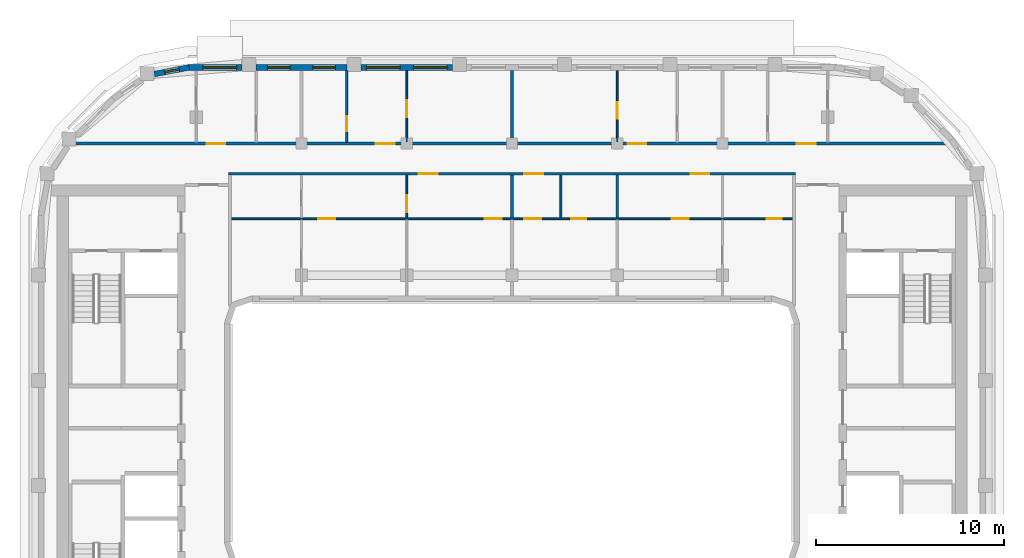
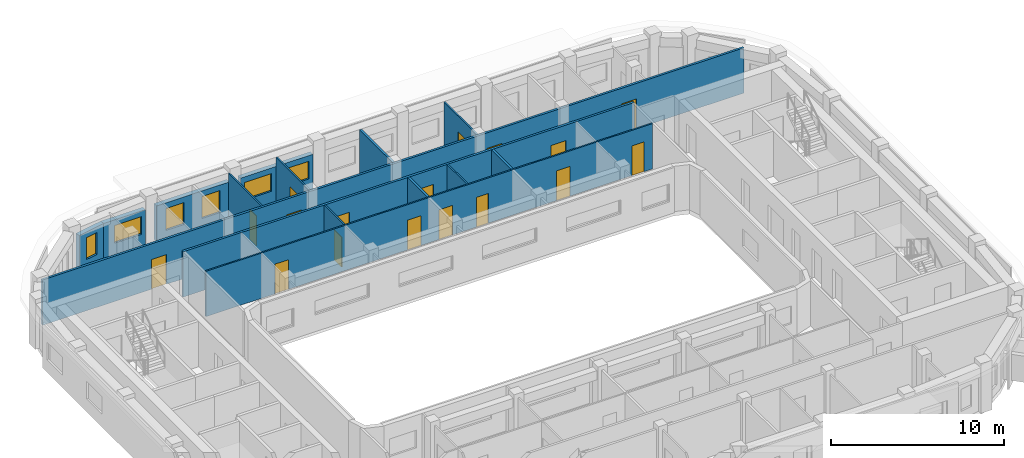
# One storey, part 7 of 16: 17 doors, 15 walls, 6 windows, 23 openings.
"""IFC4 building model written with IfcOpenShell, lengths in metres."""

from ifc_helpers import new_model, si_unit, direction, frame, frame_2d, origin, place, context, subcontext, project, spatial, rectangle, extrude, material, layer, layer_set, type_object, element, fill, save


model = new_model("IFC4")

# Units and contexts
model_context = context("Model", 3, precision=1e-05, world=origin(), true_north=direction((0.0, 1.0)))
body_context = subcontext(model_context, "Body", "Model", "MODEL_VIEW")
ifc_project = project(units=[si_unit("LENGTHUNIT", "METRE"), si_unit("AREAUNIT", "SQUARE_METRE"), si_unit("VOLUMEUNIT", "CUBIC_METRE"), si_unit("PLANEANGLEUNIT", "RADIAN"), si_unit("MASSUNIT", "GRAM", prefix="KILO")], contexts=[model_context])

# Site, building, storey
site_placement = place(None, origin())
site = spatial("IfcSite", under=ifc_project, at=site_placement, CompositionType="ELEMENT")
building_placement = place(site_placement, origin())
building = spatial("IfcBuilding", under=site, at=building_placement, Name="Kiln Ring Residences", CompositionType="ELEMENT")
storey_placement = place(building_placement, frame((0.0, 0.0, 269.699951171875)))
storey = spatial("IfcBuildingStorey", under=building, at=storey_placement, Name="L70", CompositionType="ELEMENT", Elevation=269.699951171875)

# Wall, openings, windows
ifc_material_1 = material(Name="Brick masonry, dark clay brick", Category="masonry")
ifc_layer_1 = layer(ifc_material_1, 0.300048828125)
ifc_layer_set_1 = layer_set([ifc_layer_1], Name="EW-300 BRICK WALL")
wall_type_1 = type_object("IfcWallType", Name="EW-300 BRICK WALL", PredefinedType="SOLIDWALL", material=ifc_layer_set_1)
wall_1_placement = place(storey_placement, frame((-3.175048828125, 19.449951171875, 0.0), z_axis=(0.0, 0.0, 1.0), x_axis=(-1.0, 0.0, 0.0)))
wall_1 = element("IfcWall", 1, at=wall_1_placement, inside=storey, type_object=wall_type_1, Name="Facade wall L70 30", PredefinedType="SOLIDWALL", context=body_context, shape_type="SweptSolid", body=[
    extrude(rectangle(XDim=4.849853515625, YDim=0.300048828125, at=frame_2d((2.4248046875, 0.0))), origin(), (0.0, 0.0, 1.0), 2.550048828125),
])
opening_1_placement = place(wall_1_placement, frame((0.27490234375, 0.0, 0.89990234375)))
opening_1 = element("IfcOpeningElement", 2, at=opening_1_placement, cuts=wall_1, Name="Opening W2", PredefinedType="OPENING", context=body_context, shape_type="SweptSolid", body=[
    extrude(rectangle(XDim=1.800048828125, YDim=1.25, at=frame_2d((0.89990234375, 0.625))), frame((0.0, 0.159912109375, 0.0), z_axis=(0.0, -1.0, 0.0), x_axis=(1.0, 0.0, 0.0)), (0.0, 0.0, 1.0), 0.320068359375),
])
opening_2_placement = place(wall_1_placement, frame((2.77490234375, 0.0, 0.89990234375)))
opening_2 = element("IfcOpeningElement", 3, at=opening_2_placement, cuts=wall_1, Name="Opening W2", PredefinedType="OPENING", context=body_context, shape_type="SweptSolid", body=[
    extrude(rectangle(XDim=1.800048828125, YDim=1.25, at=frame_2d((0.89990234375, 0.625))), frame((0.0, 0.159912109375, 0.0), z_axis=(0.0, -1.0, 0.0), x_axis=(1.0, 0.0, 0.0)), (0.0, 0.0, 1.0), 0.320068359375),
])
ifc_material_2 = material(Name="Aluminium frame with double glazing", Category="aluminium")
window_type_1 = type_object("IfcWindowType", Name="WINDOW 1800 x 1250", PartitioningType="SINGLE_PANEL", PredefinedType="WINDOW", material=ifc_material_2)
window_1_placement = place(opening_1_placement, origin())
window_1 = element("IfcWindow", 4, at=window_1_placement, inside=storey, type_object=window_type_1, Name="Window L70 28", OverallHeight=1.25, OverallWidth=1.800048828125, PartitioningType="SINGLE_PANEL", PredefinedType="WINDOW", context=body_context, shape_type="SweptSolid", body=[
    extrude(rectangle(XDim=1.800048828125, YDim=1.25, at=frame_2d((0.89990234375, 0.625))), frame((0.0, 0.030029296875, 0.0), z_axis=(0.0, -1.0, 0.0), x_axis=(1.0, 0.0, 0.0)), (0.0, 0.0, 1.0), 0.06005859375),
])
fill(opening_1, window_1)
window_2_placement = place(opening_2_placement, origin())
window_2 = element("IfcWindow", 5, at=window_2_placement, inside=storey, type_object=window_type_1, Name="Window L70 29", OverallHeight=1.25, OverallWidth=1.800048828125, PartitioningType="SINGLE_PANEL", PredefinedType="WINDOW", context=body_context, shape_type="SweptSolid", body=[
    extrude(rectangle(XDim=1.800048828125, YDim=1.25, at=frame_2d((0.89990234375, 0.625))), frame((0.0, 0.030029296875, 0.0), z_axis=(0.0, -1.0, 0.0), x_axis=(1.0, 0.0, 0.0)), (0.0, 0.0, 1.0), 0.06005859375),
])
fill(opening_2, window_2)

wall_2_placement = place(storey_placement, frame((-8.77490234375, 19.449951171875, 0.0), z_axis=(0.0, 0.0, 1.0), x_axis=(-1.0, 0.0, 0.0)))
wall_2 = element("IfcWall", 6, at=wall_2_placement, inside=storey, type_object=wall_type_1, Name="Facade wall L70 31", PredefinedType="SOLIDWALL", context=body_context, shape_type="SweptSolid", body=[
    extrude(rectangle(XDim=4.85009765625, YDim=0.300048828125, at=frame_2d((2.425048828125, 0.0))), origin(), (0.0, 0.0, 1.0), 2.550048828125),
])
opening_3_placement = place(wall_2_placement, frame((0.625, 0.0, 0.60009765625)))
opening_3 = element("IfcOpeningElement", 7, at=opening_3_placement, cuts=wall_2, Name="Opening W1", PredefinedType="OPENING", context=body_context, shape_type="SweptSolid", body=[
    extrude(rectangle(XDim=1.199951171875, YDim=1.550048828125, at=frame_2d((0.60009765625, 0.77490234375))), frame((0.0, 0.159912109375, 0.0), z_axis=(0.0, -1.0, 0.0), x_axis=(1.0, 0.0, 0.0)), (0.0, 0.0, 1.0), 0.320068359375),
])
opening_4_placement = place(wall_2_placement, frame((3.02490234375, 0.0, 0.60009765625)))
opening_4 = element("IfcOpeningElement", 8, at=opening_4_placement, cuts=wall_2, Name="Opening W1", PredefinedType="OPENING", context=body_context, shape_type="SweptSolid", body=[
    extrude(rectangle(XDim=1.199951171875, YDim=1.550048828125, at=frame_2d((0.60009765625, 0.77490234375))), frame((0.0, 0.159912109375, 0.0), z_axis=(0.0, -1.0, 0.0), x_axis=(1.0, 0.0, 0.0)), (0.0, 0.0, 1.0), 0.320068359375),
])
ifc_material_3 = material(Name="Aluminium frame with double glazing", Category="aluminium")
window_type_2 = type_object("IfcWindowType", Name="WINDOW 1200 x 1550", PartitioningType="SINGLE_PANEL", PredefinedType="WINDOW", material=ifc_material_3)
window_3_placement = place(opening_3_placement, origin())
window_3 = element("IfcWindow", 9, at=window_3_placement, inside=storey, type_object=window_type_2, Name="Window L70 30", OverallHeight=1.550048828125, OverallWidth=1.199951171875, PartitioningType="SINGLE_PANEL", PredefinedType="WINDOW", context=body_context, shape_type="SweptSolid", body=[
    extrude(rectangle(XDim=1.199951171875, YDim=1.550048828125, at=frame_2d((0.60009765625, 0.77490234375))), frame((0.0, 0.030029296875, 0.0), z_axis=(0.0, -1.0, 0.0), x_axis=(1.0, 0.0, 0.0)), (0.0, 0.0, 1.0), 0.06005859375),
])
fill(opening_3, window_3)
window_4_placement = place(opening_4_placement, origin())
window_4 = element("IfcWindow", 10, at=window_4_placement, inside=storey, type_object=window_type_2, Name="Window L70 31", OverallHeight=1.550048828125, OverallWidth=1.199951171875, PartitioningType="SINGLE_PANEL", PredefinedType="WINDOW", context=body_context, shape_type="SweptSolid", body=[
    extrude(rectangle(XDim=1.199951171875, YDim=1.550048828125, at=frame_2d((0.60009765625, 0.77490234375))), frame((0.0, 0.030029296875, 0.0), z_axis=(0.0, -1.0, 0.0), x_axis=(1.0, 0.0, 0.0)), (0.0, 0.0, 1.0), 0.06005859375),
])
fill(opening_4, window_4)

# Wall, opening, window
wall_3_placement = place(storey_placement, frame((-14.375, 19.449951171875, 0.0), z_axis=(0.0, 0.0, 1.0), x_axis=(-1.0, 0.0, 0.0)))
wall_3 = element("IfcWall", 11, at=wall_3_placement, inside=storey, type_object=wall_type_1, Name="Facade wall L70 32", PredefinedType="SOLIDWALL", context=body_context, shape_type="SweptSolid", body=[
    extrude(rectangle(XDim=2.824951171875, YDim=0.300048828125, at=frame_2d((1.41259765625, 0.0))), origin(), (0.0, 0.0, 1.0), 2.550048828125),
])
opening_5_placement = place(wall_3_placement, frame((0.27490234375, 0.0, 0.89990234375)))
opening_5 = element("IfcOpeningElement", 12, at=opening_5_placement, cuts=wall_3, Name="Opening W2", PredefinedType="OPENING", context=body_context, shape_type="SweptSolid", body=[
    extrude(rectangle(XDim=1.800048828125, YDim=1.25, at=frame_2d((0.89990234375, 0.625))), frame((0.0, 0.159912109375, 0.0), z_axis=(0.0, -1.0, 0.0), x_axis=(1.0, 0.0, 0.0)), (0.0, 0.0, 1.0), 0.320068359375),
])
window_5_placement = place(opening_5_placement, origin())
window_5 = element("IfcWindow", 13, at=window_5_placement, inside=storey, type_object=window_type_1, Name="Window L70 32", OverallHeight=1.25, OverallWidth=1.800048828125, PartitioningType="SINGLE_PANEL", PredefinedType="WINDOW", context=body_context, shape_type="SweptSolid", body=[
    extrude(rectangle(XDim=1.800048828125, YDim=1.25, at=frame_2d((0.89990234375, 0.625))), frame((0.0, 0.030029296875, 0.0), z_axis=(0.0, -1.0, 0.0), x_axis=(1.0, 0.0, 0.0)), (0.0, 0.0, 1.0), 0.06005859375),
])
fill(opening_5, window_5)

wall_4_placement = place(storey_placement, frame((-17.171875, 19.45263671875, 0.0), z_axis=(0.0, 0.0, 1.0), x_axis=(-0.982284001233, -0.187398348234, 0.0)))
wall_4 = element("IfcWall", 14, at=wall_4_placement, inside=storey, type_object=wall_type_1, Name="Facade wall L70 33", PredefinedType="SOLIDWALL", context=body_context, shape_type="SweptSolid", body=[
    extrude(rectangle(XDim=1.88134765625, YDim=0.300048828125, at=frame_2d((0.940673828125, 0.0))), origin(), (0.0, 0.0, 1.0), 2.550048828125),
])
opening_6_placement = place(wall_4_placement, frame((0.54052734375, 0.0, 0.60009765625)))
opening_6 = element("IfcOpeningElement", 15, at=opening_6_placement, cuts=wall_4, Name="Opening W5", PredefinedType="OPENING", context=body_context, shape_type="SweptSolid", body=[
    extrude(rectangle(XDim=0.800048828125, YDim=1.550048828125, at=frame_2d((0.39990234375, 0.77490234375))), frame((0.0, 0.159912109375, 0.0), z_axis=(0.0, -1.0, 0.0), x_axis=(1.0, 0.0, 0.0)), (0.0, 0.0, 1.0), 0.320068359375),
])
ifc_material_4 = material(Name="Aluminium frame with double glazing", Category="aluminium")
window_type_3 = type_object("IfcWindowType", Name="WINDOW 800 x 1550", PartitioningType="SINGLE_PANEL", PredefinedType="WINDOW", material=ifc_material_4)
window_6_placement = place(opening_6_placement, origin())
window_6 = element("IfcWindow", 16, at=window_6_placement, inside=storey, type_object=window_type_3, Name="Window L70 33", OverallHeight=1.550048828125, OverallWidth=0.800048828125, PartitioningType="SINGLE_PANEL", PredefinedType="WINDOW", context=body_context, shape_type="SweptSolid", body=[
    extrude(rectangle(XDim=0.800048828125, YDim=1.550048828125, at=frame_2d((0.39990234375, 0.77490234375))), frame((0.0, 0.030029296875, 0.0), z_axis=(0.0, -1.0, 0.0), x_axis=(1.0, 0.0, 0.0)), (0.0, 0.0, 1.0), 0.06005859375),
])
fill(opening_6, window_6)

# Wall, openings, doors
ifc_material_5 = material(Name="Gypsum board on steel studs", Category="steel")
ifc_layer_2 = layer(ifc_material_5, 0.10009765625)
ifc_layer_set_2 = layer_set([ifc_layer_2], Name="PARTITION-100")
wall_type_2 = type_object("IfcWallType", Name="PARTITION-100", PredefinedType="PARTITIONING", material=ifc_layer_set_2)
wall_5_placement = place(storey_placement, frame((-14.925048828125, 11.39990234375, 0.0), z_axis=(0.0, 0.0, 1.0), x_axis=(1.0, 0.0, 0.0)))
wall_5 = element("IfcWall", 17, at=wall_5_placement, inside=storey, type_object=wall_type_2, Name="Partition 005", PredefinedType="PARTITIONING", context=body_context, shape_type="SweptSolid", body=[
    extrude(rectangle(XDim=29.85009765625, YDim=0.10009765625, at=frame_2d((14.925048828125, 0.0))), origin(), (0.0, 0.0, 1.0), 3.199951171875),
])
opening_7_placement = place(wall_5_placement, frame((13.47509765625, 0.0, 0.0)))
opening_7 = element("IfcOpeningElement", 18, at=opening_7_placement, cuts=wall_5, Name="Opening L70-D008", PredefinedType="OPENING", context=body_context, shape_type="SweptSolid", body=[
    extrude(rectangle(XDim=0.89990234375, YDim=2.10009765625, at=frame_2d((0.449951171875, 1.050048828125))), frame((0.0, 0.06005859375, 0.0), z_axis=(0.0, -1.0, 0.0), x_axis=(1.0, 0.0, 0.0)), (0.0, 0.0, 1.0), 0.1201171875),
])
opening_8_placement = place(wall_5_placement, frame((4.625, 0.0, 0.0)))
opening_8 = element("IfcOpeningElement", 19, at=opening_8_placement, cuts=wall_5, Name="Opening L70-D009", PredefinedType="OPENING", context=body_context, shape_type="SweptSolid", body=[
    extrude(rectangle(XDim=0.89990234375, YDim=2.10009765625, at=frame_2d((0.449951171875, 1.050048828125))), frame((0.0, 0.06005859375, 0.0), z_axis=(0.0, -1.0, 0.0), x_axis=(1.0, 0.0, 0.0)), (0.0, 0.0, 1.0), 0.1201171875),
])
opening_9_placement = place(wall_5_placement, frame((18.074951171875, 0.0, 0.0)))
opening_9 = element("IfcOpeningElement", 20, at=opening_9_placement, cuts=wall_5, Name="Opening L70-D012", PredefinedType="OPENING", context=body_context, shape_type="SweptSolid", body=[
    extrude(rectangle(XDim=0.800048828125, YDim=2.10009765625, at=frame_2d((0.39990234375, 1.050048828125))), frame((0.0, 0.06005859375, 0.0), z_axis=(0.0, -1.0, 0.0), x_axis=(1.0, 0.0, 0.0)), (0.0, 0.0, 1.0), 0.1201171875),
])
opening_10_placement = place(wall_5_placement, frame((15.574951171875, 0.0, 0.0)))
opening_10 = element("IfcOpeningElement", 21, at=opening_10_placement, cuts=wall_5, Name="Opening L70-D013", PredefinedType="OPENING", context=body_context, shape_type="SweptSolid", body=[
    extrude(rectangle(XDim=0.89990234375, YDim=2.10009765625, at=frame_2d((0.449951171875, 1.050048828125))), frame((0.0, 0.06005859375, 0.0), z_axis=(0.0, -1.0, 0.0), x_axis=(1.0, 0.0, 0.0)), (0.0, 0.0, 1.0), 0.1201171875),
])
opening_11_placement = place(wall_5_placement, frame((28.47412109375, 0.0, 0.0)))
opening_11 = element("IfcOpeningElement", 22, at=opening_11_placement, cuts=wall_5, Name="Opening L70-D015", PredefinedType="OPENING", context=body_context, shape_type="SweptSolid", body=[
    extrude(rectangle(XDim=0.800048828125, YDim=2.10009765625, at=frame_2d((0.39990234375, 1.050048828125))), frame((0.0, 0.06005859375, 0.0), z_axis=(0.0, -1.0, 0.0), x_axis=(1.0, 0.0, 0.0)), (0.0, 0.0, 1.0), 0.1201171875),
])
opening_12_placement = place(wall_5_placement, frame((23.425048828125, 0.0, 0.0)))
opening_12 = element("IfcOpeningElement", 23, at=opening_12_placement, cuts=wall_5, Name="Opening L70-D016", PredefinedType="OPENING", context=body_context, shape_type="SweptSolid", body=[
    extrude(rectangle(XDim=0.89990234375, YDim=2.10009765625, at=frame_2d((0.449951171875, 1.050048828125))), frame((0.0, 0.06005859375, 0.0), z_axis=(0.0, -1.0, 0.0), x_axis=(1.0, 0.0, 0.0)), (0.0, 0.0, 1.0), 0.1201171875),
])
ifc_material_6 = material(Name="Timber door leaf", Category="wood")
door_type_1 = type_object("IfcDoorType", Name="FLAT-DOOR-800-PL", OperationType="SINGLE_SWING_LEFT", PredefinedType="DOOR", material=ifc_material_6)
door_1_placement = place(opening_9_placement, origin())
door_1 = element("IfcDoor", 24, at=door_1_placement, inside=storey, type_object=door_type_1, Name="Door L70-D012", OperationType="SINGLE_SWING_RIGHT", OverallHeight=2.10009765625, OverallWidth=0.800048828125, PredefinedType="DOOR", context=body_context, shape_type="SweptSolid", body=[
    extrude(rectangle(XDim=0.800048828125, YDim=2.10009765625, at=frame_2d((0.39990234375, 1.050048828125))), frame((0.0, 0.02490234375, 0.0), z_axis=(0.0, -1.0, 0.0), x_axis=(1.0, 0.0, 0.0)), (0.0, 0.0, 1.0), 0.050048828125),
])
fill(opening_9, door_1)
door_2_placement = place(opening_11_placement, origin())
door_2 = element("IfcDoor", 25, at=door_2_placement, inside=storey, type_object=door_type_1, Name="Door L70-D015", OperationType="SINGLE_SWING_LEFT", OverallHeight=2.10009765625, OverallWidth=0.800048828125, PredefinedType="DOOR", context=body_context, shape_type="SweptSolid", body=[
    extrude(rectangle(XDim=0.800048828125, YDim=2.10009765625, at=frame_2d((0.39990234375, 1.050048828125))), frame((0.0, 0.02490234375, 0.0), z_axis=(0.0, -1.0, 0.0), x_axis=(1.0, 0.0, 0.0)), (0.0, 0.0, 1.0), 0.050048828125),
])
fill(opening_11, door_2)
ifc_material_7 = material(Name="Timber door leaf", Category="wood")
door_type_2 = type_object("IfcDoorType", Name="FLAT-DOOR-900-PL", OperationType="SINGLE_SWING_LEFT", PredefinedType="DOOR", material=ifc_material_7)
door_3_placement = place(opening_7_placement, origin())
door_3 = element("IfcDoor", 26, at=door_3_placement, inside=storey, type_object=door_type_2, Name="Door L70-D008", OperationType="SINGLE_SWING_RIGHT", OverallHeight=2.10009765625, OverallWidth=0.89990234375, PredefinedType="DOOR", context=body_context, shape_type="SweptSolid", body=[
    extrude(rectangle(XDim=0.89990234375, YDim=2.10009765625, at=frame_2d((0.449951171875, 1.050048828125))), frame((0.0, 0.02490234375, 0.0), z_axis=(0.0, -1.0, 0.0), x_axis=(1.0, 0.0, 0.0)), (0.0, 0.0, 1.0), 0.050048828125),
])
fill(opening_7, door_3)
door_4_placement = place(opening_8_placement, origin())
door_4 = element("IfcDoor", 27, at=door_4_placement, inside=storey, type_object=door_type_2, Name="Door L70-D009", OperationType="SINGLE_SWING_LEFT", OverallHeight=2.10009765625, OverallWidth=0.89990234375, PredefinedType="DOOR", context=body_context, shape_type="SweptSolid", body=[
    extrude(rectangle(XDim=0.89990234375, YDim=2.10009765625, at=frame_2d((0.449951171875, 1.050048828125))), frame((0.0, 0.02490234375, 0.0), z_axis=(0.0, -1.0, 0.0), x_axis=(1.0, 0.0, 0.0)), (0.0, 0.0, 1.0), 0.050048828125),
])
fill(opening_8, door_4)
door_5_placement = place(opening_10_placement, origin())
door_5 = element("IfcDoor", 28, at=door_5_placement, inside=storey, type_object=door_type_2, Name="Door L70-D013", OperationType="SINGLE_SWING_LEFT", OverallHeight=2.10009765625, OverallWidth=0.89990234375, PredefinedType="DOOR", context=body_context, shape_type="SweptSolid", body=[
    extrude(rectangle(XDim=0.89990234375, YDim=2.10009765625, at=frame_2d((0.449951171875, 1.050048828125))), frame((0.0, 0.02490234375, 0.0), z_axis=(0.0, -1.0, 0.0), x_axis=(1.0, 0.0, 0.0)), (0.0, 0.0, 1.0), 0.050048828125),
])
fill(opening_10, door_5)
door_6_placement = place(opening_12_placement, origin())
door_6 = element("IfcDoor", 29, at=door_6_placement, inside=storey, type_object=door_type_2, Name="Door L70-D016", OperationType="SINGLE_SWING_RIGHT", OverallHeight=2.10009765625, OverallWidth=0.89990234375, PredefinedType="DOOR", context=body_context, shape_type="SweptSolid", body=[
    extrude(rectangle(XDim=0.89990234375, YDim=2.10009765625, at=frame_2d((0.449951171875, 1.050048828125))), frame((0.0, 0.02490234375, 0.0), z_axis=(0.0, -1.0, 0.0), x_axis=(1.0, 0.0, 0.0)), (0.0, 0.0, 1.0), 0.050048828125),
])
fill(opening_12, door_6)

# Wall, opening, door
wall_6_placement = place(storey_placement, frame((-8.800048828125, 15.47509765625, 0.0), z_axis=(0.0, 0.0, 1.0), x_axis=(0.0, 1.0, 0.0)))
wall_6 = element("IfcWall", 30, at=wall_6_placement, inside=storey, type_object=wall_type_2, Name="Partition 023", PredefinedType="PARTITIONING", context=body_context, shape_type="SweptSolid", body=[
    extrude(rectangle(XDim=3.804931640625, YDim=0.10009765625, at=frame_2d((1.90234375, 0.0))), origin(), (0.0, 0.0, 1.0), 3.199951171875),
])
opening_13_placement = place(wall_6_placement, frame((0.5849609375, 0.0, 0.0)))
opening_13 = element("IfcOpeningElement", 31, at=opening_13_placement, cuts=wall_6, Name="Opening L70-D022", PredefinedType="OPENING", context=body_context, shape_type="SweptSolid", body=[
    extrude(rectangle(XDim=0.800048828125, YDim=2.10009765625, at=frame_2d((0.39990234375, 1.050048828125))), frame((0.0, 0.06005859375, 0.0), z_axis=(0.0, -1.0, 0.0), x_axis=(1.0, 0.0, 0.0)), (0.0, 0.0, 1.0), 0.1201171875),
])
door_7_placement = place(opening_13_placement, origin())
door_7 = element("IfcDoor", 32, at=door_7_placement, inside=storey, type_object=door_type_1, Name="Door L70-D022", OperationType="SINGLE_SWING_RIGHT", OverallHeight=2.10009765625, OverallWidth=0.800048828125, PredefinedType="DOOR", context=body_context, shape_type="SweptSolid", body=[
    extrude(rectangle(XDim=0.800048828125, YDim=2.10009765625, at=frame_2d((0.39990234375, 1.050048828125))), frame((0.0, 0.02490234375, 0.0), z_axis=(0.0, -1.0, 0.0), x_axis=(1.0, 0.0, 0.0)), (0.0, 0.0, 1.0), 0.050048828125),
])
fill(opening_13, door_7)

wall_7_placement = place(storey_placement, frame((-5.60009765625, 11.449951171875, 0.0), z_axis=(0.0, 0.0, 1.0), x_axis=(0.0, 1.0, 0.0)))
wall_7 = element("IfcWall", 33, at=wall_7_placement, inside=storey, type_object=wall_type_2, Name="Partition 028", PredefinedType="PARTITIONING", context=body_context, shape_type="SweptSolid", body=[
    extrude(rectangle(XDim=2.275146484375, YDim=0.10009765625, at=frame_2d((1.1376953125, 0.0))), origin(), (0.0, 0.0, 1.0), 3.199951171875),
])
opening_14_placement = place(wall_7_placement, frame((0.299072265625, 0.0, 0.0)))
opening_14 = element("IfcOpeningElement", 34, at=opening_14_placement, cuts=wall_7, Name="Opening L70-D006", PredefinedType="OPENING", context=body_context, shape_type="SweptSolid", body=[
    extrude(rectangle(XDim=0.89990234375, YDim=2.10009765625, at=frame_2d((0.449951171875, 1.050048828125))), frame((0.0, 0.06005859375, 0.0), z_axis=(0.0, -1.0, 0.0), x_axis=(1.0, 0.0, 0.0)), (0.0, 0.0, 1.0), 0.1201171875),
])
door_8_placement = place(opening_14_placement, origin())
door_8 = element("IfcDoor", 35, at=door_8_placement, inside=storey, type_object=door_type_2, Name="Door L70-D006", OperationType="SINGLE_SWING_RIGHT", OverallHeight=2.10009765625, OverallWidth=0.89990234375, PredefinedType="DOOR", context=body_context, shape_type="SweptSolid", body=[
    extrude(rectangle(XDim=0.89990234375, YDim=2.10009765625, at=frame_2d((0.449951171875, 1.050048828125))), frame((0.0, 0.02490234375, 0.0), z_axis=(0.0, -1.0, 0.0), x_axis=(1.0, 0.0, 0.0)), (0.0, 0.0, 1.0), 0.050048828125),
])
fill(opening_14, door_8)

wall_8_placement = place(storey_placement, frame((-5.60009765625, 15.47509765625, 0.0), z_axis=(0.0, 0.0, 1.0), x_axis=(0.0, 1.0, 0.0)))
wall_8 = element("IfcWall", 36, at=wall_8_placement, inside=storey, type_object=wall_type_2, Name="Partition 029", PredefinedType="PARTITIONING", context=body_context, shape_type="SweptSolid", body=[
    extrude(rectangle(XDim=3.804931640625, YDim=0.10009765625, at=frame_2d((1.90234375, 0.0))), origin(), (0.0, 0.0, 1.0), 3.199951171875),
])
opening_15_placement = place(wall_8_placement, frame((1.325927734375, 0.0, 0.0)))
opening_15 = element("IfcOpeningElement", 37, at=opening_15_placement, cuts=wall_8, Name="Opening L70-D023", PredefinedType="OPENING", context=body_context, shape_type="SweptSolid", body=[
    extrude(rectangle(XDim=0.89990234375, YDim=2.10009765625, at=frame_2d((0.449951171875, 1.050048828125))), frame((0.0, 0.06005859375, 0.0), z_axis=(0.0, -1.0, 0.0), x_axis=(1.0, 0.0, 0.0)), (0.0, 0.0, 1.0), 0.1201171875),
])
door_9_placement = place(opening_15_placement, origin())
door_9 = element("IfcDoor", 38, at=door_9_placement, inside=storey, type_object=door_type_2, Name="Door L70-D023", OperationType="SINGLE_SWING_LEFT", OverallHeight=2.10009765625, OverallWidth=0.89990234375, PredefinedType="DOOR", context=body_context, shape_type="SweptSolid", body=[
    extrude(rectangle(XDim=0.89990234375, YDim=2.10009765625, at=frame_2d((0.449951171875, 1.050048828125))), frame((0.0, 0.02490234375, 0.0), z_axis=(0.0, -1.0, 0.0), x_axis=(1.0, 0.0, 0.0)), (0.0, 0.0, 1.0), 0.050048828125),
])
fill(opening_15, door_9)

# Wall
wall_9_placement = place(storey_placement, frame((2.60009765625, 11.449951171875, 0.0), z_axis=(0.0, 0.0, 1.0), x_axis=(0.0, 1.0, 0.0)))
element("IfcWall", 39, at=wall_9_placement, inside=storey, type_object=wall_type_2, Name="Partition 036", PredefinedType="PARTITIONING", context=body_context, shape_type="SweptSolid", body=[
    extrude(rectangle(XDim=2.275146484375, YDim=0.10009765625, at=frame_2d((1.1376953125, 0.0))), origin(), (0.0, 0.0, 1.0), 3.199951171875),
])

# Wall, opening, door
wall_10_placement = place(storey_placement, frame((5.60009765625, 15.47509765625, 0.0), z_axis=(0.0, 0.0, 1.0), x_axis=(0.0, 1.0, 0.0)))
wall_10 = element("IfcWall", 40, at=wall_10_placement, inside=storey, type_object=wall_type_2, Name="Partition 039", PredefinedType="PARTITIONING", context=body_context, shape_type="SweptSolid", body=[
    extrude(rectangle(XDim=3.804931640625, YDim=0.10009765625, at=frame_2d((1.90234375, 0.0))), origin(), (0.0, 0.0, 1.0), 3.199951171875),
])
opening_16_placement = place(wall_10_placement, frame((1.235107421875, 0.0, 0.0)))
opening_16 = element("IfcOpeningElement", 41, at=opening_16_placement, cuts=wall_10, Name="Opening L70-D026", PredefinedType="OPENING", context=body_context, shape_type="SweptSolid", body=[
    extrude(rectangle(XDim=0.89990234375, YDim=2.10009765625, at=frame_2d((0.449951171875, 1.050048828125))), frame((0.0, 0.06005859375, 0.0), z_axis=(0.0, -1.0, 0.0), x_axis=(1.0, 0.0, 0.0)), (0.0, 0.0, 1.0), 0.1201171875),
])
door_10_placement = place(opening_16_placement, origin())
door_10 = element("IfcDoor", 42, at=door_10_placement, inside=storey, type_object=door_type_2, Name="Door L70-D026", OperationType="SINGLE_SWING_RIGHT", OverallHeight=2.10009765625, OverallWidth=0.89990234375, PredefinedType="DOOR", context=body_context, shape_type="SweptSolid", body=[
    extrude(rectangle(XDim=0.89990234375, YDim=2.10009765625, at=frame_2d((0.449951171875, 1.050048828125))), frame((0.0, 0.02490234375, 0.0), z_axis=(0.0, -1.0, 0.0), x_axis=(1.0, 0.0, 0.0)), (0.0, 0.0, 1.0), 0.050048828125),
])
fill(opening_16, door_10)

# Wall, openings, doors
ifc_material_8 = material(Name="Brick masonry partition", Category="masonry")
ifc_layer_3 = layer(ifc_material_8, 0.14990234375)
ifc_layer_set_3 = layer_set([ifc_layer_3], Name="PARTITION-150-ei60")
wall_type_3 = type_object("IfcWallType", Name="PARTITION-150-ei60", PredefinedType="PARTITIONING", material=ifc_layer_set_3)
wall_11_placement = place(storey_placement, frame((-15.074951171875, 13.800048828125, 0.0), z_axis=(0.0, 0.0, 1.0), x_axis=(1.0, 0.0, 0.0)))
wall_11 = element("IfcWall", 43, at=wall_11_placement, inside=storey, type_object=wall_type_3, Name="Partition 008", PredefinedType="PARTITIONING", context=body_context, shape_type="SweptSolid", body=[
    extrude(rectangle(XDim=30.14990234375, YDim=0.14990234375, at=frame_2d((15.074951171875, 0.0))), origin(), (0.0, 0.0, 1.0), 3.199951171875),
])
opening_17_placement = place(wall_11_placement, frame((10.125, 0.0, 0.0)))
opening_17 = element("IfcOpeningElement", 44, at=opening_17_placement, cuts=wall_11, Name="Opening L70-D005", PredefinedType="OPENING", context=body_context, shape_type="SweptSolid", body=[
    extrude(rectangle(XDim=1.0, YDim=2.10009765625, at=frame_2d((0.5, 1.050048828125))), frame((0.0, 0.0849609375, 0.0), z_axis=(0.0, -1.0, 0.0), x_axis=(1.0, 0.0, 0.0)), (0.0, 0.0, 1.0), 0.169921875),
])
opening_18_placement = place(wall_11_placement, frame((15.72509765625, 0.0, 0.0)))
opening_18 = element("IfcOpeningElement", 45, at=opening_18_placement, cuts=wall_11, Name="Opening L70-D011", PredefinedType="OPENING", context=body_context, shape_type="SweptSolid", body=[
    extrude(rectangle(XDim=1.0, YDim=2.10009765625, at=frame_2d((0.5, 1.050048828125))), frame((0.0, 0.0849609375, 0.0), z_axis=(0.0, -1.0, 0.0), x_axis=(1.0, 0.0, 0.0)), (0.0, 0.0, 1.0), 0.169921875),
])
opening_19_placement = place(wall_11_placement, frame((24.574951171875, 0.0, 0.0)))
opening_19 = element("IfcOpeningElement", 46, at=opening_19_placement, cuts=wall_11, Name="Opening L70-D014", PredefinedType="OPENING", context=body_context, shape_type="SweptSolid", body=[
    extrude(rectangle(XDim=1.0, YDim=2.10009765625, at=frame_2d((0.5, 1.050048828125))), frame((0.0, 0.0849609375, 0.0), z_axis=(0.0, -1.0, 0.0), x_axis=(1.0, 0.0, 0.0)), (0.0, 0.0, 1.0), 0.169921875),
])
ifc_material_9 = material(Name="Steel faced fire door leaf", Category="steel")
door_type_3 = type_object("IfcDoorType", Name="FLAT-DOOR-1000-FR", OperationType="SINGLE_SWING_LEFT", PredefinedType="DOOR", material=ifc_material_9)
door_11_placement = place(opening_17_placement, origin())
door_11 = element("IfcDoor", 47, at=door_11_placement, inside=storey, type_object=door_type_3, Name="Door L70-D005", OperationType="SINGLE_SWING_LEFT", OverallHeight=2.10009765625, OverallWidth=1.0, PredefinedType="DOOR", context=body_context, shape_type="SweptSolid", body=[
    extrude(rectangle(XDim=1.0, YDim=2.10009765625, at=frame_2d((0.5, 1.050048828125))), frame((0.0, 0.02490234375, 0.0), z_axis=(0.0, -1.0, 0.0), x_axis=(1.0, 0.0, 0.0)), (0.0, 0.0, 1.0), 0.050048828125),
])
fill(opening_17, door_11)
door_12_placement = place(opening_18_placement, origin())
door_12 = element("IfcDoor", 48, at=door_12_placement, inside=storey, type_object=door_type_3, Name="Door L70-D011", OperationType="SINGLE_SWING_LEFT", OverallHeight=2.10009765625, OverallWidth=1.0, PredefinedType="DOOR", context=body_context, shape_type="SweptSolid", body=[
    extrude(rectangle(XDim=1.0, YDim=2.10009765625, at=frame_2d((0.5, 1.050048828125))), frame((0.0, 0.02490234375, 0.0), z_axis=(0.0, -1.0, 0.0), x_axis=(1.0, 0.0, 0.0)), (0.0, 0.0, 1.0), 0.050048828125),
])
fill(opening_18, door_12)
door_13_placement = place(opening_19_placement, origin())
door_13 = element("IfcDoor", 49, at=door_13_placement, inside=storey, type_object=door_type_3, Name="Door L70-D014", OperationType="SINGLE_SWING_RIGHT", OverallHeight=2.10009765625, OverallWidth=1.0, PredefinedType="DOOR", context=body_context, shape_type="SweptSolid", body=[
    extrude(rectangle(XDim=1.0, YDim=2.10009765625, at=frame_2d((0.5, 1.050048828125))), frame((0.0, 0.02490234375, 0.0), z_axis=(0.0, -1.0, 0.0), x_axis=(1.0, 0.0, 0.0)), (0.0, 0.0, 1.0), 0.050048828125),
])
fill(opening_19, door_13)

wall_12_placement = place(storey_placement, frame((-23.550048828125, 15.39990234375, 0.0), z_axis=(0.0, 0.0, 1.0), x_axis=(1.0, 0.0, 0.0)))
wall_12 = element("IfcWall", 50, at=wall_12_placement, inside=storey, type_object=wall_type_3, Name="Partition 009", PredefinedType="PARTITIONING", context=body_context, shape_type="SweptSolid", body=[
    extrude(rectangle(XDim=46.8720703125, YDim=0.14990234375, at=frame_2d((23.43603515625, 0.0))), origin(), (0.0, 0.0, 1.0), 3.199951171875),
])
opening_20_placement = place(wall_12_placement, frame((7.300048828125, 0.0, 0.0)))
opening_20 = element("IfcOpeningElement", 51, at=opening_20_placement, cuts=wall_12, Name="Opening L70-D018", PredefinedType="OPENING", context=body_context, shape_type="SweptSolid", body=[
    extrude(rectangle(XDim=1.0, YDim=2.10009765625, at=frame_2d((0.5, 1.050048828125))), frame((0.0, 0.0849609375, 0.0), z_axis=(0.0, -1.0, 0.0), x_axis=(1.0, 0.0, 0.0)), (0.0, 0.0, 1.0), 0.169921875),
])
opening_21_placement = place(wall_12_placement, frame((16.300048828125, 0.0, 0.0)))
opening_21 = element("IfcOpeningElement", 52, at=opening_21_placement, cuts=wall_12, Name="Opening L70-D021", PredefinedType="OPENING", context=body_context, shape_type="SweptSolid", body=[
    extrude(rectangle(XDim=1.0, YDim=2.10009765625, at=frame_2d((0.5, 1.050048828125))), frame((0.0, 0.0849609375, 0.0), z_axis=(0.0, -1.0, 0.0), x_axis=(1.0, 0.0, 0.0)), (0.0, 0.0, 1.0), 0.169921875),
])
opening_22_placement = place(wall_12_placement, frame((29.699951171875, 0.0, 0.0)))
opening_22 = element("IfcOpeningElement", 53, at=opening_22_placement, cuts=wall_12, Name="Opening L70-D024", PredefinedType="OPENING", context=body_context, shape_type="SweptSolid", body=[
    extrude(rectangle(XDim=1.0, YDim=2.10009765625, at=frame_2d((0.5, 1.050048828125))), frame((0.0, 0.0849609375, 0.0), z_axis=(0.0, -1.0, 0.0), x_axis=(1.0, 0.0, 0.0)), (0.0, 0.0, 1.0), 0.169921875),
])
opening_23_placement = place(wall_12_placement, frame((38.699951171875, 0.0, 0.0)))
opening_23 = element("IfcOpeningElement", 54, at=opening_23_placement, cuts=wall_12, Name="Opening L70-D027", PredefinedType="OPENING", context=body_context, shape_type="SweptSolid", body=[
    extrude(rectangle(XDim=1.0, YDim=2.10009765625, at=frame_2d((0.5, 1.050048828125))), frame((0.0, 0.0849609375, 0.0), z_axis=(0.0, -1.0, 0.0), x_axis=(1.0, 0.0, 0.0)), (0.0, 0.0, 1.0), 0.169921875),
])
door_14_placement = place(opening_20_placement, origin())
door_14 = element("IfcDoor", 55, at=door_14_placement, inside=storey, type_object=door_type_3, Name="Door L70-D018", OperationType="SINGLE_SWING_RIGHT", OverallHeight=2.10009765625, OverallWidth=1.0, PredefinedType="DOOR", context=body_context, shape_type="SweptSolid", body=[
    extrude(rectangle(XDim=1.0, YDim=2.10009765625, at=frame_2d((0.5, 1.050048828125))), frame((0.0, 0.02490234375, 0.0), z_axis=(0.0, -1.0, 0.0), x_axis=(1.0, 0.0, 0.0)), (0.0, 0.0, 1.0), 0.050048828125),
])
fill(opening_20, door_14)
door_15_placement = place(opening_21_placement, origin())
door_15 = element("IfcDoor", 56, at=door_15_placement, inside=storey, type_object=door_type_3, Name="Door L70-D021", OperationType="SINGLE_SWING_LEFT", OverallHeight=2.10009765625, OverallWidth=1.0, PredefinedType="DOOR", context=body_context, shape_type="SweptSolid", body=[
    extrude(rectangle(XDim=1.0, YDim=2.10009765625, at=frame_2d((0.5, 1.050048828125))), frame((0.0, 0.02490234375, 0.0), z_axis=(0.0, -1.0, 0.0), x_axis=(1.0, 0.0, 0.0)), (0.0, 0.0, 1.0), 0.050048828125),
])
fill(opening_21, door_15)
door_16_placement = place(opening_22_placement, origin())
door_16 = element("IfcDoor", 57, at=door_16_placement, inside=storey, type_object=door_type_3, Name="Door L70-D024", OperationType="SINGLE_SWING_RIGHT", OverallHeight=2.10009765625, OverallWidth=1.0, PredefinedType="DOOR", context=body_context, shape_type="SweptSolid", body=[
    extrude(rectangle(XDim=1.0, YDim=2.10009765625, at=frame_2d((0.5, 1.050048828125))), frame((0.0, 0.02490234375, 0.0), z_axis=(0.0, -1.0, 0.0), x_axis=(1.0, 0.0, 0.0)), (0.0, 0.0, 1.0), 0.050048828125),
])
fill(opening_22, door_16)
door_17_placement = place(opening_23_placement, origin())
door_17 = element("IfcDoor", 58, at=door_17_placement, inside=storey, type_object=door_type_3, Name="Door L70-D027", OperationType="SINGLE_SWING_LEFT", OverallHeight=2.10009765625, OverallWidth=1.0, PredefinedType="DOOR", context=body_context, shape_type="SweptSolid", body=[
    extrude(rectangle(XDim=1.0, YDim=2.10009765625, at=frame_2d((0.5, 1.050048828125))), frame((0.0, 0.02490234375, 0.0), z_axis=(0.0, -1.0, 0.0), x_axis=(1.0, 0.0, 0.0)), (0.0, 0.0, 1.0), 0.050048828125),
])
fill(opening_23, door_17)

# Walls
wall_13_placement = place(storey_placement, frame((0.0, 11.449951171875, 0.0), z_axis=(0.0, 0.0, 1.0), x_axis=(0.0, 1.0, 0.0)))
element("IfcWall", 59, at=wall_13_placement, inside=storey, type_object=wall_type_3, Name="Partition 034", PredefinedType="PARTITIONING", context=body_context, shape_type="SweptSolid", body=[
    extrude(rectangle(XDim=2.275146484375, YDim=0.14990234375, at=frame_2d((1.1376953125, 0.0))), origin(), (0.0, 0.0, 1.0), 3.199951171875),
])
wall_14_placement = place(storey_placement, frame((0.0, 15.47509765625, 0.0), z_axis=(0.0, 0.0, 1.0), x_axis=(0.0, 1.0, 0.0)))
element("IfcWall", 60, at=wall_14_placement, inside=storey, type_object=wall_type_3, Name="Partition 035", PredefinedType="PARTITIONING", context=body_context, shape_type="SweptSolid", body=[
    extrude(rectangle(XDim=3.804931640625, YDim=0.14990234375, at=frame_2d((1.90234375, 0.0))), origin(), (0.0, 0.0, 1.0), 3.199951171875),
])
wall_15_placement = place(storey_placement, frame((5.60009765625, 11.449951171875, 0.0), z_axis=(0.0, 0.0, 1.0), x_axis=(0.0, 1.0, 0.0)))
element("IfcWall", 61, at=wall_15_placement, inside=storey, type_object=wall_type_3, Name="Partition 042", PredefinedType="PARTITIONING", context=body_context, shape_type="SweptSolid", body=[
    extrude(rectangle(XDim=2.275146484375, YDim=0.14990234375, at=frame_2d((1.1376953125, 0.0))), origin(), (0.0, 0.0, 1.0), 3.199951171875),
])

save(model, "model.ifc")
